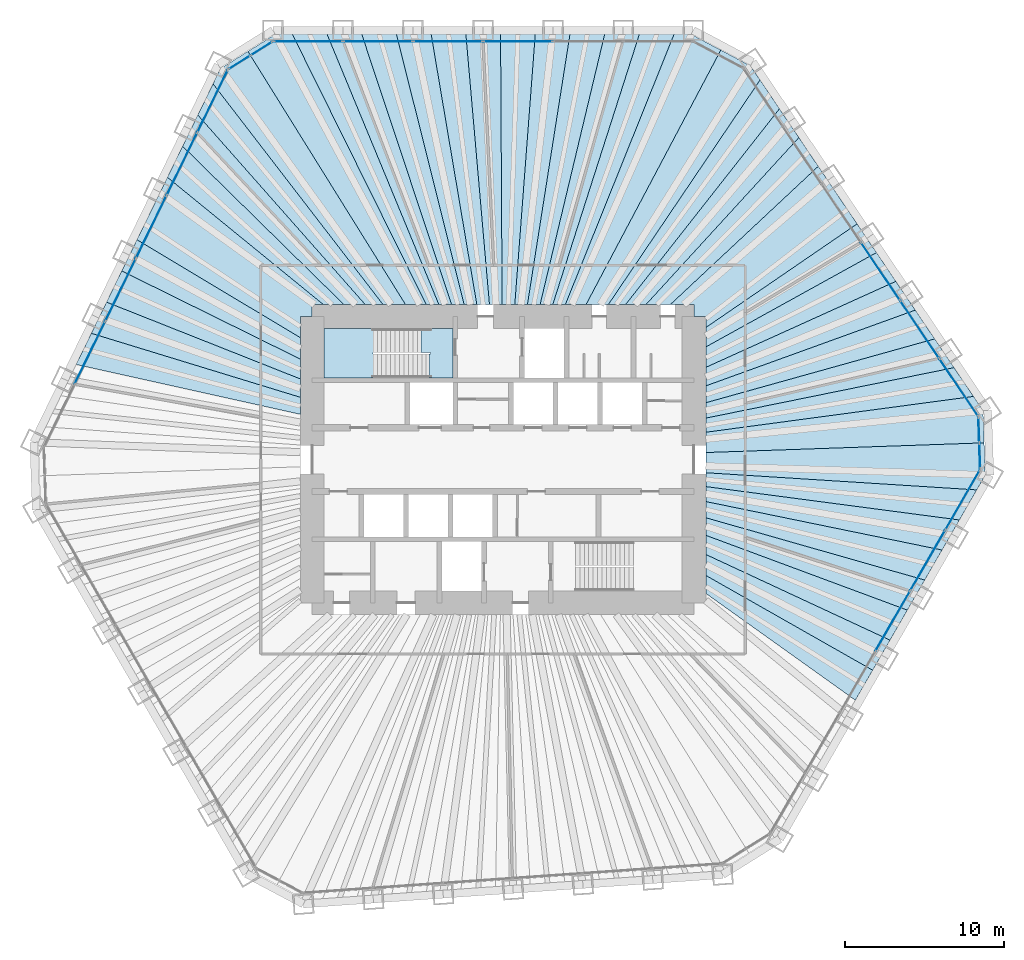
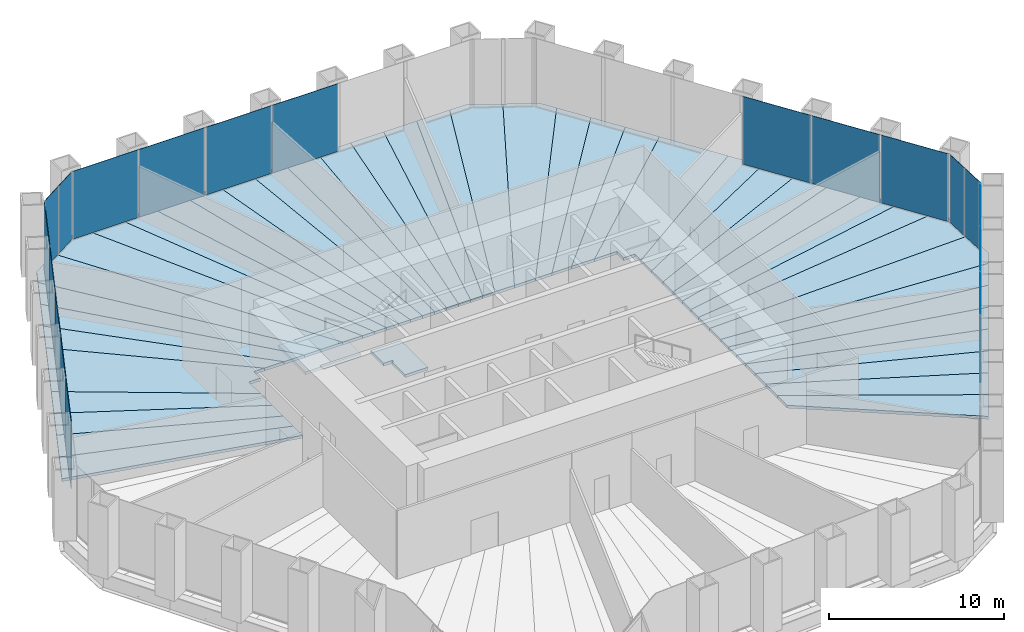
# One storey, part 9 of 13: 44 slabs, 19 plates, 7 elements without a shape of their own.
"""IFC4 building model written with IfcOpenShell, lengths in metres."""

from ifc_helpers import new_model, si_unit, direction, frame, origin, origin_2d, place, context, subcontext, project, spatial, polyline, rectangle, outline, extrude, material, layer, layer_set, type_object, element, aggregate, save


model = new_model("IFC4")

# Units and contexts
model_context = context("Model", 3, precision=1e-05, world=origin(), true_north=direction((0.0, 1.0)))
body_context = subcontext(model_context, "Body", "Model", "MODEL_VIEW")
ifc_project = project(units=[si_unit("LENGTHUNIT", "METRE"), si_unit("AREAUNIT", "SQUARE_METRE"), si_unit("VOLUMEUNIT", "CUBIC_METRE"), si_unit("PLANEANGLEUNIT", "RADIAN"), si_unit("MASSUNIT", "GRAM", prefix="KILO")], contexts=[model_context])

# Site, building, storey
site_placement = place(None, origin())
site = spatial("IfcSite", under=ifc_project, at=site_placement, CompositionType="ELEMENT")
building_placement = place(site_placement, origin())
building = spatial("IfcBuilding", under=site, at=building_placement, Name="Qingtian Harvest Tower", CompositionType="ELEMENT")
storey_placement = place(building_placement, frame((0.0, 0.0, 27.0)))
storey = spatial("IfcBuildingStorey", under=building, at=storey_placement, Name="L05", CompositionType="ELEMENT", Elevation=27.0)

# Slabs
ifc_material_1 = material(Name="Concrete fc' 35 MPa", Category="concrete")
ifc_layer_1 = layer(ifc_material_1, 0.199951171875)
ifc_layer_set_1 = layer_set([ifc_layer_1], Name="Composite floor slab FS20 200")
slab_type_1 = type_object("IfcSlabType", Name="Composite floor slab FS20 200", PredefinedType="FLOOR", material=ifc_layer_set_1)
slab_1_placement = place(storey_placement, frame((0.0, 0.0, -0.199951171875)))
element("IfcSlab", 1, at=slab_1_placement, inside=storey, type_object=slab_type_1, Name="Floor slab L05 panel D32", PredefinedType="FLOOR", context=body_context, shape_type="SweptSolid", body=[
    extrude(outline(polyline([(12.75, -7.279052734375), (23.247802734375, -13.243408203125), (22.159423828125, -15.128662109375), (12.75, -8.4091796875), (12.75, -7.279052734375)])), origin(), (0.0, 0.0, 1.0), 0.199951171875),
])
slab_2_placement = place(storey_placement, frame((0.0, 0.0, -0.199951171875)))
element("IfcSlab", 2, at=slab_2_placement, inside=storey, type_object=slab_type_1, Name="Floor slab L05 panel D33", PredefinedType="FLOOR", context=body_context, shape_type="SweptSolid", body=[
    extrude(outline(polyline([(12.75, -5.96142578125), (24.339111328125, -11.353515625), (23.247802734375, -13.243408203125), (12.75, -7.279052734375), (12.75, -5.96142578125)])), origin(), (0.0, 0.0, 1.0), 0.199951171875),
])
slab_3_placement = place(storey_placement, frame((0.0, 0.0, -0.199951171875)))
element("IfcSlab", 3, at=slab_3_placement, inside=storey, type_object=slab_type_1, Name="Floor slab L05 panel D34", PredefinedType="FLOOR", context=body_context, shape_type="SweptSolid", body=[
    extrude(outline(polyline([(12.75, -4.757080078125), (25.43017578125, -9.46337890625), (24.339111328125, -11.353515625), (12.75, -5.96142578125), (12.75, -4.757080078125)])), origin(), (0.0, 0.0, 1.0), 0.199951171875),
])
slab_4_placement = place(storey_placement, frame((0.0, 0.0, -0.199951171875)))
element("IfcSlab", 4, at=slab_4_placement, inside=storey, type_object=slab_type_1, Name="Floor slab L05 panel D35", PredefinedType="FLOOR", context=body_context, shape_type="SweptSolid", body=[
    extrude(outline(polyline([(12.75, -3.651611328125), (26.521484375, -7.573486328125), (25.43017578125, -9.46337890625), (12.75, -4.757080078125), (12.75, -3.651611328125)])), origin(), (0.0, 0.0, 1.0), 0.199951171875),
])
slab_5_placement = place(storey_placement, frame((0.0, 0.0, -0.199951171875)))
element("IfcSlab", 5, at=slab_5_placement, inside=storey, type_object=slab_type_1, Name="Floor slab L05 panel D36", PredefinedType="FLOOR", context=body_context, shape_type="SweptSolid", body=[
    extrude(outline(polyline([(12.75, -2.634033203125), (27.612548828125, -5.68359375), (26.521484375, -7.573486328125), (12.75, -3.651611328125), (12.75, -2.634033203125)])), origin(), (0.0, 0.0, 1.0), 0.199951171875),
])
slab_6_placement = place(storey_placement, frame((0.0, 0.0, -0.199951171875)))
element("IfcSlab", 6, at=slab_6_placement, inside=storey, type_object=slab_type_1, Name="Floor slab L05 panel D37", PredefinedType="FLOOR", context=body_context, shape_type="SweptSolid", body=[
    extrude(outline(polyline([(12.75, -1.693603515625), (28.703857421875, -3.793701171875), (27.612548828125, -5.68359375), (12.75, -2.634033203125), (12.75, -1.693603515625)])), origin(), (0.0, 0.0, 1.0), 0.199951171875),
])
slab_7_placement = place(storey_placement, frame((0.0, 0.0, -0.199951171875)))
element("IfcSlab", 7, at=slab_7_placement, inside=storey, type_object=slab_type_1, Name="Floor slab L05 panel D38", PredefinedType="FLOOR", context=body_context, shape_type="SweptSolid", body=[
    extrude(outline(polyline([(12.75, -0.822265625), (29.794921875, -1.903564453125), (28.703857421875, -3.793701171875), (12.75, -1.693603515625), (12.75, -0.822265625)])), origin(), (0.0, 0.0, 1.0), 0.199951171875),
])
slab_8_placement = place(storey_placement, frame((0.0, 0.0, -0.199951171875)))
element("IfcSlab", 8, at=slab_8_placement, inside=storey, type_object=slab_type_1, Name="Floor slab L05 panel D39", PredefinedType="FLOOR", context=body_context, shape_type="SweptSolid", body=[
    extrude(outline(polyline([(12.75, -0.822265625), (12.75, 0.447265625), (30.2587890625, 1.056640625), (30.32958984375, -0.9775390625), (29.794921875, -1.903564453125), (12.75, -0.822265625)])), origin(), (0.0, 0.0, 1.0), 0.199951171875),
])
slab_9_placement = place(storey_placement, frame((0.0, 0.0, -0.199951171875)))
element("IfcSlab", 9, at=slab_9_placement, inside=storey, type_object=slab_type_1, Name="Floor slab L05 panel D40", PredefinedType="FLOOR", context=body_context, shape_type="SweptSolid", body=[
    extrude(outline(polyline([(12.75, 0.447265625), (12.75, 1.72265625), (29.589599609375, 3.977294921875), (30.187744140625, 3.0908203125), (30.2587890625, 1.056640625), (12.75, 0.447265625)])), origin(), (0.0, 0.0, 1.0), 0.199951171875),
])
slab_10_placement = place(storey_placement, frame((0.0, 0.0, -0.199951171875)))
element("IfcSlab", 10, at=slab_10_placement, inside=storey, type_object=slab_type_1, Name="Floor slab L05 panel D41", PredefinedType="FLOOR", context=body_context, shape_type="SweptSolid", body=[
    extrude(outline(polyline([(12.75, 2.610595703125), (28.369140625, 5.78662109375), (29.589599609375, 3.977294921875), (12.75, 1.72265625), (12.75, 2.610595703125)])), origin(), (0.0, 0.0, 1.0), 0.199951171875),
])
slab_11_placement = place(storey_placement, frame((0.0, 0.0, -0.199951171875)))
element("IfcSlab", 11, at=slab_11_placement, inside=storey, type_object=slab_type_1, Name="Floor slab L05 panel D42", PredefinedType="FLOOR", context=body_context, shape_type="SweptSolid", body=[
    extrude(outline(polyline([(12.75, 3.57861328125), (27.14892578125, 7.595947265625), (28.369140625, 5.78662109375), (12.75, 2.610595703125), (12.75, 3.57861328125)])), origin(), (0.0, 0.0, 1.0), 0.199951171875),
])
slab_12_placement = place(storey_placement, frame((0.0, 0.0, -0.199951171875)))
element("IfcSlab", 12, at=slab_12_placement, inside=storey, type_object=slab_type_1, Name="Floor slab L05 panel D43", PredefinedType="FLOOR", context=body_context, shape_type="SweptSolid", body=[
    extrude(outline(polyline([(12.75, 4.6376953125), (25.928466796875, 9.405029296875), (27.14892578125, 7.595947265625), (12.75, 3.57861328125), (12.75, 4.6376953125)])), origin(), (0.0, 0.0, 1.0), 0.199951171875),
])
slab_13_placement = place(storey_placement, frame((0.0, 0.0, -0.199951171875)))
element("IfcSlab", 13, at=slab_13_placement, inside=storey, type_object=slab_type_1, Name="Floor slab L05 panel D44", PredefinedType="FLOOR", context=body_context, shape_type="SweptSolid", body=[
    extrude(outline(polyline([(12.75, 5.8017578125), (24.708251953125, 11.21435546875), (25.928466796875, 9.405029296875), (12.75, 4.6376953125), (12.75, 5.8017578125)])), origin(), (0.0, 0.0, 1.0), 0.199951171875),
])
slab_14_placement = place(storey_placement, frame((0.0, 0.0, -0.199951171875)))
element("IfcSlab", 14, at=slab_14_placement, inside=storey, type_object=slab_type_1, Name="Floor slab L05 panel D45", PredefinedType="FLOOR", context=body_context, shape_type="SweptSolid", body=[
    extrude(outline(polyline([(12.75, 7.087158203125), (23.48779296875, 13.023681640625), (24.708251953125, 11.21435546875), (12.75, 5.8017578125), (12.75, 7.087158203125)])), origin(), (0.0, 0.0, 1.0), 0.199951171875),
])
slab_15_placement = place(storey_placement, frame((0.0, 0.0, -0.199951171875)))
element("IfcSlab", 15, at=slab_15_placement, inside=storey, type_object=slab_type_1, Name="Floor slab L05 panel D46", PredefinedType="FLOOR", context=body_context, shape_type="SweptSolid", body=[
    extrude(outline(polyline([(12.75, 8.30615234375), (22.26953125, 14.829833984375), (23.48779296875, 13.023681640625), (12.75, 7.087158203125), (12.75, 8.30615234375)])), origin(), (0.0, 0.0, 1.0), 0.199951171875),
])
slab_16_placement = place(storey_placement, frame((0.0, 0.0, -0.199951171875)))
element("IfcSlab", 16, at=slab_16_placement, inside=storey, type_object=slab_type_1, Name="Floor slab L05 panel D48", PredefinedType="FLOOR", context=body_context, shape_type="SweptSolid", body=[
    extrude(outline(polyline([(19.8271484375, 18.45068359375), (22.26953125, 14.829833984375), (12.75, 8.30615234375), (12.75, 9.0), (12.0, 9.0), (12.0, 9.75), (10.51806640625, 9.75), (19.8271484375, 18.45068359375)])), origin(), (0.0, 0.0, 1.0), 0.199951171875),
])
slab_17_placement = place(storey_placement, frame((0.0, 0.0, -0.199951171875)))
element("IfcSlab", 17, at=slab_17_placement, inside=storey, type_object=slab_type_1, Name="Floor slab L05 panel D49", PredefinedType="FLOOR", context=body_context, shape_type="SweptSolid", body=[
    extrude(outline(polyline([(8.985107421875, 9.75), (18.60693359375, 20.260009765625), (19.8271484375, 18.45068359375), (10.51806640625, 9.75), (8.985107421875, 9.75)])), origin(), (0.0, 0.0, 1.0), 0.199951171875),
])
slab_18_placement = place(storey_placement, frame((0.0, 0.0, -0.199951171875)))
element("IfcSlab", 18, at=slab_18_placement, inside=storey, type_object=slab_type_1, Name="Floor slab L05 panel D50", PredefinedType="FLOOR", context=body_context, shape_type="SweptSolid", body=[
    extrude(outline(polyline([(7.705078125, 9.75), (17.386474609375, 22.0693359375), (18.60693359375, 20.260009765625), (8.985107421875, 9.75), (7.705078125, 9.75)])), origin(), (0.0, 0.0, 1.0), 0.199951171875),
])
slab_19_placement = place(storey_placement, frame((0.0, 0.0, -0.199951171875)))
element("IfcSlab", 19, at=slab_19_placement, inside=storey, type_object=slab_type_1, Name="Floor slab L05 panel D51", PredefinedType="FLOOR", context=body_context, shape_type="SweptSolid", body=[
    extrude(outline(polyline([(6.61962890625, 9.75), (16.166015625, 23.87841796875), (17.386474609375, 22.0693359375), (7.705078125, 9.75), (6.61962890625, 9.75)])), origin(), (0.0, 0.0, 1.0), 0.199951171875),
])
slab_20_placement = place(storey_placement, frame((0.0, 0.0, -0.199951171875)))
element("IfcSlab", 20, at=slab_20_placement, inside=storey, type_object=slab_type_1, Name="Floor slab L05 panel D52", PredefinedType="FLOOR", context=body_context, shape_type="SweptSolid", body=[
    extrude(outline(polyline([(6.61962890625, 9.75), (5.21875, 9.75), (13.697265625, 25.760009765625), (15.56787109375, 24.765380859375), (16.166015625, 23.87841796875), (6.61962890625, 9.75)])), origin(), (0.0, 0.0, 1.0), 0.199951171875),
])
slab_21_placement = place(storey_placement, frame((0.0, 0.0, -0.199951171875)))
element("IfcSlab", 21, at=slab_21_placement, inside=storey, type_object=slab_type_1, Name="Floor slab L05 panel D53", PredefinedType="FLOOR", context=body_context, shape_type="SweptSolid", body=[
    extrude(outline(polyline([(3.919921875, 9.75), (10.756591796875, 26.7548828125), (11.825927734375, 26.7548828125), (13.697265625, 25.760009765625), (5.21875, 9.75), (3.919921875, 9.75)])), origin(), (0.0, 0.0, 1.0), 0.199951171875),
])
slab_22_placement = place(storey_placement, frame((0.0, 0.0, -0.199951171875)))
element("IfcSlab", 22, at=slab_22_placement, inside=storey, type_object=slab_type_1, Name="Floor slab L05 panel D54", PredefinedType="FLOOR", context=body_context, shape_type="SweptSolid", body=[
    extrude(outline(polyline([(3.12451171875, 9.75), (8.57421875, 26.7548828125), (10.756591796875, 26.7548828125), (3.919921875, 9.75), (3.12451171875, 9.75)])), origin(), (0.0, 0.0, 1.0), 0.199951171875),
])
slab_23_placement = place(storey_placement, frame((0.0, 0.0, -0.199951171875)))
element("IfcSlab", 23, at=slab_23_placement, inside=storey, type_object=slab_type_1, Name="Floor slab L05 panel D55", PredefinedType="FLOOR", context=body_context, shape_type="SweptSolid", body=[
    extrude(outline(polyline([(2.329345703125, 9.75), (6.391845703125, 26.7548828125), (8.57421875, 26.7548828125), (3.12451171875, 9.75), (2.329345703125, 9.75)])), origin(), (0.0, 0.0, 1.0), 0.199951171875),
])
slab_24_placement = place(storey_placement, frame((0.0, 0.0, -0.199951171875)))
element("IfcSlab", 24, at=slab_24_placement, inside=storey, type_object=slab_type_1, Name="Floor slab L05 panel D56", PredefinedType="FLOOR", context=body_context, shape_type="SweptSolid", body=[
    extrude(outline(polyline([(1.533935546875, 9.75), (4.20947265625, 26.7548828125), (6.391845703125, 26.7548828125), (2.329345703125, 9.75), (1.533935546875, 9.75)])), origin(), (0.0, 0.0, 1.0), 0.199951171875),
])
slab_25_placement = place(storey_placement, frame((0.0, 0.0, -0.199951171875)))
element("IfcSlab", 25, at=slab_25_placement, inside=storey, type_object=slab_type_1, Name="Floor slab L05 panel D57", PredefinedType="FLOOR", context=body_context, shape_type="SweptSolid", body=[
    extrude(outline(polyline([(0.73876953125, 9.75), (2.02734375, 26.7548828125), (4.20947265625, 26.7548828125), (1.533935546875, 9.75), (0.73876953125, 9.75)])), origin(), (0.0, 0.0, 1.0), 0.199951171875),
])
slab_26_placement = place(storey_placement, frame((0.0, 0.0, -0.199951171875)))
element("IfcSlab", 26, at=slab_26_placement, inside=storey, type_object=slab_type_1, Name="Floor slab L05 panel D58", PredefinedType="FLOOR", context=body_context, shape_type="SweptSolid", body=[
    extrude(outline(polyline([(-0.056396484375, 9.75), (-0.155029296875, 26.7548828125), (2.02734375, 26.7548828125), (0.73876953125, 9.75), (-0.056396484375, 9.75)])), origin(), (0.0, 0.0, 1.0), 0.199951171875),
])
slab_27_placement = place(storey_placement, frame((0.0, 0.0, -0.199951171875)))
element("IfcSlab", 27, at=slab_27_placement, inside=storey, type_object=slab_type_1, Name="Floor slab L05 panel D59", PredefinedType="FLOOR", context=body_context, shape_type="SweptSolid", body=[
    extrude(outline(polyline([(-0.851806640625, 9.75), (-2.33740234375, 26.7548828125), (-0.155029296875, 26.7548828125), (-0.056396484375, 9.75), (-0.851806640625, 9.75)])), origin(), (0.0, 0.0, 1.0), 0.199951171875),
])
slab_28_placement = place(storey_placement, frame((0.0, 0.0, -0.199951171875)))
element("IfcSlab", 28, at=slab_28_placement, inside=storey, type_object=slab_type_1, Name="Floor slab L05 panel D60", PredefinedType="FLOOR", context=body_context, shape_type="SweptSolid", body=[
    extrude(outline(polyline([(-1.64697265625, 9.75), (-4.519775390625, 26.7548828125), (-2.33740234375, 26.7548828125), (-0.851806640625, 9.75), (-1.64697265625, 9.75)])), origin(), (0.0, 0.0, 1.0), 0.199951171875),
])
slab_29_placement = place(storey_placement, frame((0.0, 0.0, -0.199951171875)))
element("IfcSlab", 29, at=slab_29_placement, inside=storey, type_object=slab_type_1, Name="Floor slab L05 panel D61", PredefinedType="FLOOR", context=body_context, shape_type="SweptSolid", body=[
    extrude(outline(polyline([(-2.4423828125, 9.75), (-6.7021484375, 26.7548828125), (-4.519775390625, 26.7548828125), (-1.64697265625, 9.75), (-2.4423828125, 9.75)])), origin(), (0.0, 0.0, 1.0), 0.199951171875),
])
slab_30_placement = place(storey_placement, frame((0.0, 0.0, -0.199951171875)))
element("IfcSlab", 30, at=slab_30_placement, inside=storey, type_object=slab_type_1, Name="Floor slab L05 panel D62", PredefinedType="FLOOR", context=body_context, shape_type="SweptSolid", body=[
    extrude(outline(polyline([(-3.237548828125, 9.75), (-8.88427734375, 26.7548828125), (-6.7021484375, 26.7548828125), (-2.4423828125, 9.75), (-3.237548828125, 9.75)])), origin(), (0.0, 0.0, 1.0), 0.199951171875),
])
slab_31_placement = place(storey_placement, frame((0.0, 0.0, -0.199951171875)))
element("IfcSlab", 31, at=slab_31_placement, inside=storey, type_object=slab_type_1, Name="Floor slab L05 panel D63", PredefinedType="FLOOR", context=body_context, shape_type="SweptSolid", body=[
    extrude(outline(polyline([(-4.032958984375, 9.75), (-11.066650390625, 26.7548828125), (-8.88427734375, 26.7548828125), (-3.237548828125, 9.75), (-4.032958984375, 9.75)])), origin(), (0.0, 0.0, 1.0), 0.199951171875),
])
slab_32_placement = place(storey_placement, frame((0.0, 0.0, -0.199951171875)))
element("IfcSlab", 32, at=slab_32_placement, inside=storey, type_object=slab_type_1, Name="Floor slab L05 panel D64", PredefinedType="FLOOR", context=body_context, shape_type="SweptSolid", body=[
    extrude(outline(polyline([(-4.828125, 9.75), (-13.2490234375, 26.7548828125), (-11.066650390625, 26.7548828125), (-4.032958984375, 9.75), (-4.828125, 9.75)])), origin(), (0.0, 0.0, 1.0), 0.199951171875),
])
slab_33_placement = place(storey_placement, frame((0.0, 0.0, -0.199951171875)))
element("IfcSlab", 33, at=slab_33_placement, inside=storey, type_object=slab_type_1, Name="Floor slab L05 panel D65", PredefinedType="FLOOR", context=body_context, shape_type="SweptSolid", body=[
    extrude(outline(polyline([(-4.828125, 9.75), (-6.130126953125, 9.75), (-16.044921875, 25.67626953125), (-14.318359375, 26.7548828125), (-13.2490234375, 26.7548828125), (-4.828125, 9.75)])), origin(), (0.0, 0.0, 1.0), 0.199951171875),
])
slab_34_placement = place(storey_placement, frame((0.0, 0.0, -0.199951171875)))
element("IfcSlab", 34, at=slab_34_placement, inside=storey, type_object=slab_type_1, Name="Floor slab L05 panel D66", PredefinedType="FLOOR", context=body_context, shape_type="SweptSolid", body=[
    extrude(outline(polyline([(-6.130126953125, 9.75), (-7.544677734375, 9.75), (-18.239501953125, 23.636474609375), (-17.7705078125, 24.597900390625), (-16.044921875, 25.67626953125), (-6.130126953125, 9.75)])), origin(), (0.0, 0.0, 1.0), 0.199951171875),
])
slab_35_placement = place(storey_placement, frame((0.0, 0.0, -0.199951171875)))
element("IfcSlab", 35, at=slab_35_placement, inside=storey, type_object=slab_type_1, Name="Floor slab L05 panel D67", PredefinedType="FLOOR", context=body_context, shape_type="SweptSolid", body=[
    extrude(outline(polyline([(-8.662109375, 9.75), (-19.196044921875, 21.675048828125), (-18.239501953125, 23.636474609375), (-7.544677734375, 9.75), (-8.662109375, 9.75)])), origin(), (0.0, 0.0, 1.0), 0.199951171875),
])
slab_36_placement = place(storey_placement, frame((0.0, 0.0, -0.199951171875)))
element("IfcSlab", 36, at=slab_36_placement, inside=storey, type_object=slab_type_1, Name="Floor slab L05 panel D68", PredefinedType="FLOOR", context=body_context, shape_type="SweptSolid", body=[
    extrude(outline(polyline([(-10.00341796875, 9.75), (-20.15283203125, 19.71337890625), (-19.196044921875, 21.675048828125), (-8.662109375, 9.75), (-10.00341796875, 9.75)])), origin(), (0.0, 0.0, 1.0), 0.199951171875),
])
slab_37_placement = place(storey_placement, frame((0.0, 0.0, -0.199951171875)))
element("IfcSlab", 37, at=slab_37_placement, inside=storey, type_object=slab_type_1, Name="Floor slab L05 panel D69", PredefinedType="FLOOR", context=body_context, shape_type="SweptSolid", body=[
    extrude(outline(polyline([(-11.2939453125, 9.75), (-21.107666015625, 17.755859375), (-20.15283203125, 19.71337890625), (-10.00341796875, 9.75), (-11.2939453125, 9.75)])), origin(), (0.0, 0.0, 1.0), 0.199951171875),
])
slab_38_placement = place(storey_placement, frame((0.0, 0.0, -0.199951171875)))
element("IfcSlab", 38, at=slab_38_placement, inside=storey, type_object=slab_type_1, Name="Floor slab L05 panel D70", PredefinedType="FLOOR", context=body_context, shape_type="SweptSolid", body=[
    extrude(outline(polyline([(-12.0, 9.0), (-12.75, 9.0), (-12.75, 7.67333984375), (-23.0224609375, 13.82958984375), (-21.107666015625, 17.755859375), (-11.2939453125, 9.75), (-12.0, 9.75), (-12.0, 9.0)])), origin(), (0.0, 0.0, 1.0), 0.199951171875),
])
slab_39_placement = place(storey_placement, frame((0.0, 0.0, -0.199951171875)))
element("IfcSlab", 39, at=slab_39_placement, inside=storey, type_object=slab_type_1, Name="Floor slab L05 panel D72", PredefinedType="FLOOR", context=body_context, shape_type="SweptSolid", body=[
    extrude(outline(polyline([(-12.75, 6.3232421875), (-23.979248046875, 11.8681640625), (-23.0224609375, 13.82958984375), (-12.75, 7.67333984375), (-12.75, 6.3232421875)])), origin(), (0.0, 0.0, 1.0), 0.199951171875),
])
slab_40_placement = place(storey_placement, frame((0.0, 0.0, -0.199951171875)))
element("IfcSlab", 40, at=slab_40_placement, inside=storey, type_object=slab_type_1, Name="Floor slab L05 panel D73", PredefinedType="FLOOR", context=body_context, shape_type="SweptSolid", body=[
    extrude(outline(polyline([(-12.75, 5.076904296875), (-24.935791015625, 9.90673828125), (-23.979248046875, 11.8681640625), (-12.75, 6.3232421875), (-12.75, 5.076904296875)])), origin(), (0.0, 0.0, 1.0), 0.199951171875),
])
slab_41_placement = place(storey_placement, frame((0.0, 0.0, -0.199951171875)))
element("IfcSlab", 41, at=slab_41_placement, inside=storey, type_object=slab_type_1, Name="Floor slab L05 panel D74", PredefinedType="FLOOR", context=body_context, shape_type="SweptSolid", body=[
    extrude(outline(polyline([(-12.75, 3.922607421875), (-25.892578125, 7.9453125), (-24.935791015625, 9.90673828125), (-12.75, 5.076904296875), (-12.75, 3.922607421875)])), origin(), (0.0, 0.0, 1.0), 0.199951171875),
])
slab_42_placement = place(storey_placement, frame((0.0, 0.0, -0.199951171875)))
element("IfcSlab", 42, at=slab_42_placement, inside=storey, type_object=slab_type_1, Name="Floor slab L05 panel D75", PredefinedType="FLOOR", context=body_context, shape_type="SweptSolid", body=[
    extrude(outline(polyline([(-12.75, 2.8505859375), (-26.84912109375, 5.98388671875), (-25.892578125, 7.9453125), (-12.75, 3.922607421875), (-12.75, 2.8505859375)])), origin(), (0.0, 0.0, 1.0), 0.199951171875),
])

# Curtain wall, plates
ifc_material_2 = material(Name="Bronze-anodised aluminium curtain wall", Category="aluminium")
curtain_wall_type = type_object("IfcCurtainWallType", Name="Curtain wall CW2 farm reception", PredefinedType="USERDEFINED", material=ifc_material_2)
curtain_wall_1_placement = place(storey_placement, origin())
curtain_wall_1 = element("IfcCurtainWall", 43, at=curtain_wall_1_placement, inside=storey, type_object=curtain_wall_type, Name="Curtain wall CW2 L05 N0-5", ObjectType="RECESSED CURTAIN WALL", PredefinedType="USERDEFINED")
ifc_material_3 = material(Name="Bronze-tinted laminated insulating glass", Category="glass")
ifc_layer_2 = layer(ifc_material_3, 0.030029296875)
ifc_layer_set_2 = layer_set([ifc_layer_2], Name="Glazed panel CWP tinted IGU")
plate_type = type_object("IfcPlateType", Name="Glazed panel CWP tinted IGU", PredefinedType="CURTAIN_PANEL", material=ifc_layer_set_2)
plate_1_placement = place(storey_placement, frame((-12.2529296875, 26.300048828125, 0.06494140625), z_axis=(0.0, 0.0, 1.0), x_axis=(1.0, 0.0, 0.0)))
plate_1 = element("IfcPlate", 44, at=plate_1_placement, type_object=plate_type, Name="CW2 panel 1.1", PredefinedType="CURTAIN_PANEL", context=body_context, shape_type="SweptSolid", body=[
    extrude(rectangle(XDim=4.30712890625, YDim=0.030029296875, at=origin_2d()), origin(), (0.0, 0.0, 1.0), 4.735107421875),
])
plate_2_placement = place(storey_placement, frame((-7.864501953125, 26.300048828125, 0.06494140625), z_axis=(0.0, 0.0, 1.0), x_axis=(1.0, 0.0, 0.0)))
plate_2 = element("IfcPlate", 45, at=plate_2_placement, type_object=plate_type, Name="CW2 panel 2.1", PredefinedType="CURTAIN_PANEL", context=body_context, shape_type="SweptSolid", body=[
    extrude(rectangle(XDim=4.339599609375, YDim=0.030029296875, at=origin_2d()), origin(), (0.0, 0.0, 1.0), 4.735107421875),
])
plate_3_placement = place(storey_placement, frame((-3.4599609375, 26.300048828125, 0.06494140625), z_axis=(0.0, 0.0, 1.0), x_axis=(1.0, 0.0, 0.0)))
plate_3 = element("IfcPlate", 46, at=plate_3_placement, type_object=plate_type, Name="CW2 panel 3.1", PredefinedType="CURTAIN_PANEL", context=body_context, shape_type="SweptSolid", body=[
    extrude(rectangle(XDim=4.339599609375, YDim=0.030029296875, at=origin_2d()), origin(), (0.0, 0.0, 1.0), 4.735107421875),
])
plate_4_placement = place(storey_placement, frame((0.944580078125, 26.300048828125, 0.06494140625), z_axis=(0.0, 0.0, 1.0), x_axis=(1.0, 0.0, 0.0)))
plate_4 = element("IfcPlate", 47, at=plate_4_placement, type_object=plate_type, Name="CW2 panel 4.1", PredefinedType="CURTAIN_PANEL", context=body_context, shape_type="SweptSolid", body=[
    extrude(rectangle(XDim=4.339599609375, YDim=0.030029296875, at=origin_2d()), origin(), (0.0, 0.0, 1.0), 4.735107421875),
])
aggregate(curtain_wall_1, [plate_1, plate_2, plate_3, plate_4])

curtain_wall_2_placement = place(storey_placement, origin())
curtain_wall_2 = element("IfcCurtainWall", 48, at=curtain_wall_2_placement, inside=storey, type_object=curtain_wall_type, Name="Curtain wall CW2 L05 NE0-5", ObjectType="RECESSED CURTAIN WALL", PredefinedType="USERDEFINED")
plate_5_placement = place(storey_placement, frame((23.738525390625, 11.83837890625, 0.06494140625), z_axis=(0.0, 0.0, 1.0), x_axis=(0.559192903471, -0.829037572555, 0.0)))
plate_5 = element("IfcPlate", 49, at=plate_5_placement, type_object=plate_type, Name="CW2 panel 4.1", PredefinedType="CURTAIN_PANEL", context=body_context, shape_type="SweptSolid", body=[
    extrude(rectangle(XDim=4.339599609375, YDim=0.030029296875, at=origin_2d()), origin(), (0.0, 0.0, 1.0), 4.735107421875),
])
plate_6_placement = place(storey_placement, frame((26.201416015625, 8.186767578125, 0.06494140625), z_axis=(0.0, 0.0, 1.0), x_axis=(0.559192903471, -0.829037572555, 0.0)))
plate_6 = element("IfcPlate", 50, at=plate_6_placement, type_object=plate_type, Name="CW2 panel 5.1", PredefinedType="CURTAIN_PANEL", context=body_context, shape_type="SweptSolid", body=[
    extrude(rectangle(XDim=4.339599609375, YDim=0.030029296875, at=origin_2d()), origin(), (0.0, 0.0, 1.0), 4.735107421875),
])
plate_7_placement = place(storey_placement, frame((28.655517578125, 4.548583984375, 0.06494140625), z_axis=(0.0, 0.0, 1.0), x_axis=(0.559192903471, -0.829037572555, 0.0)))
plate_7 = element("IfcPlate", 51, at=plate_7_placement, type_object=plate_type, Name="CW2 panel 6.1", PredefinedType="CURTAIN_PANEL", context=body_context, shape_type="SweptSolid", body=[
    extrude(rectangle(XDim=4.30712890625, YDim=0.030029296875, at=origin_2d()), origin(), (0.0, 0.0, 1.0), 4.735107421875),
])
aggregate(curtain_wall_2, [plate_5, plate_6, plate_7])

curtain_wall_3_placement = place(storey_placement, origin())
curtain_wall_3 = element("IfcCurtainWall", 52, at=curtain_wall_3_placement, inside=storey, type_object=curtain_wall_type, Name="Curtain wall CW2 L05 NEC", ObjectType="RECESSED CURTAIN WALL", PredefinedType="USERDEFINED")
plate_8_placement = place(storey_placement, frame((29.925537109375, 1.861572265625, 0.06494140625), z_axis=(0.0, 0.0, 1.0), x_axis=(0.034899496703, -0.999390827019, 0.0)))
plate_8 = element("IfcPlate", 53, at=plate_8_placement, type_object=plate_type, Name="CW2 panel 1.1", PredefinedType="CURTAIN_PANEL", context=body_context, shape_type="SweptSolid", body=[
    extrude(rectangle(XDim=1.56689453125, YDim=0.030029296875, at=origin_2d()), origin(), (0.0, 0.0, 1.0), 4.735107421875),
])
plate_9_placement = place(storey_placement, frame((29.982666015625, 0.23046875, 0.06494140625), z_axis=(0.0, 0.0, 1.0), x_axis=(0.034899496703, -0.999390827019, 0.0)))
plate_9 = element("IfcPlate", 54, at=plate_9_placement, type_object=plate_type, Name="CW2 panel 2.1", PredefinedType="CURTAIN_PANEL", context=body_context, shape_type="SweptSolid", body=[
    extrude(rectangle(XDim=1.56689453125, YDim=0.030029296875, at=origin_2d()), origin(), (0.0, 0.0, 1.0), 4.735107421875),
])
aggregate(curtain_wall_3, [plate_8, plate_9])

curtain_wall_4_placement = place(storey_placement, origin())
curtain_wall_4 = element("IfcCurtainWall", 55, at=curtain_wall_4_placement, inside=storey, type_object=curtain_wall_type, Name="Curtain wall CW2 L05 SE0-5", ObjectType="RECESSED CURTAIN WALL", PredefinedType="USERDEFINED")
plate_10_placement = place(storey_placement, frame((28.90283203125, -2.53857421875, 0.06494140625), z_axis=(0.0, 0.0, 1.0), x_axis=(-0.5, -0.866025403784, 0.0)))
plate_10 = element("IfcPlate", 56, at=plate_10_placement, type_object=plate_type, Name="CW2 panel 1.1", PredefinedType="CURTAIN_PANEL", context=body_context, shape_type="SweptSolid", body=[
    extrude(rectangle(XDim=4.30712890625, YDim=0.030029296875, at=origin_2d()), origin(), (0.0, 0.0, 1.0), 4.735107421875),
])
plate_11_placement = place(storey_placement, frame((26.708740234375, -6.339111328125, 0.06494140625), z_axis=(0.0, 0.0, 1.0), x_axis=(-0.5, -0.866025403784, 0.0)))
plate_11 = element("IfcPlate", 57, at=plate_11_placement, type_object=plate_type, Name="CW2 panel 2.1", PredefinedType="CURTAIN_PANEL", context=body_context, shape_type="SweptSolid", body=[
    extrude(rectangle(XDim=4.339599609375, YDim=0.030029296875, at=origin_2d()), origin(), (0.0, 0.0, 1.0), 4.735107421875),
])
plate_12_placement = place(storey_placement, frame((24.50634765625, -10.153564453125, 0.06494140625), z_axis=(0.0, 0.0, 1.0), x_axis=(-0.5, -0.866025403784, 0.0)))
plate_12 = element("IfcPlate", 58, at=plate_12_placement, type_object=plate_type, Name="CW2 panel 3.1", PredefinedType="CURTAIN_PANEL", context=body_context, shape_type="SweptSolid", body=[
    extrude(rectangle(XDim=4.339599609375, YDim=0.030029296875, at=origin_2d()), origin(), (0.0, 0.0, 1.0), 4.735107421875),
])
aggregate(curtain_wall_4, [plate_10, plate_11, plate_12])

curtain_wall_5_placement = place(storey_placement, origin())
curtain_wall_5 = element("IfcCurtainWall", 59, at=curtain_wall_5_placement, inside=storey, type_object=curtain_wall_type, Name="Curtain wall CW2 L05 NW0-5", ObjectType="RECESSED CURTAIN WALL", PredefinedType="USERDEFINED")
plate_13_placement = place(storey_placement, frame((-25.983154296875, 6.72119140625, 0.06494140625), z_axis=(0.0, 0.0, 1.0), x_axis=(0.438371146789, 0.898794046299, 0.0)))
plate_13 = element("IfcPlate", 60, at=plate_13_placement, type_object=plate_type, Name="CW2 panel 2.1", PredefinedType="CURTAIN_PANEL", context=body_context, shape_type="SweptSolid", body=[
    extrude(rectangle(XDim=4.339599609375, YDim=0.030029296875, at=origin_2d()), origin(), (0.0, 0.0, 1.0), 4.735107421875),
])
plate_14_placement = place(storey_placement, frame((-24.052490234375, 10.68017578125, 0.06494140625), z_axis=(0.0, 0.0, 1.0), x_axis=(0.438371146789, 0.898794046299, 0.0)))
plate_14 = element("IfcPlate", 61, at=plate_14_placement, type_object=plate_type, Name="CW2 panel 3.1", PredefinedType="CURTAIN_PANEL", context=body_context, shape_type="SweptSolid", body=[
    extrude(rectangle(XDim=4.339599609375, YDim=0.030029296875, at=origin_2d()), origin(), (0.0, 0.0, 1.0), 4.735107421875),
])
plate_15_placement = place(storey_placement, frame((-22.12158203125, 14.638916015625, 0.06494140625), z_axis=(0.0, 0.0, 1.0), x_axis=(0.438371146789, 0.898794046299, 0.0)))
plate_15 = element("IfcPlate", 62, at=plate_15_placement, type_object=plate_type, Name="CW2 panel 4.1", PredefinedType="CURTAIN_PANEL", context=body_context, shape_type="SweptSolid", body=[
    extrude(rectangle(XDim=4.339599609375, YDim=0.030029296875, at=origin_2d()), origin(), (0.0, 0.0, 1.0), 4.735107421875),
])
plate_16_placement = place(storey_placement, frame((-20.190673828125, 18.597900390625, 0.06494140625), z_axis=(0.0, 0.0, 1.0), x_axis=(0.438371146789, 0.898794046299, 0.0)))
plate_16 = element("IfcPlate", 63, at=plate_16_placement, type_object=plate_type, Name="CW2 panel 5.1", PredefinedType="CURTAIN_PANEL", context=body_context, shape_type="SweptSolid", body=[
    extrude(rectangle(XDim=4.339599609375, YDim=0.030029296875, at=origin_2d()), origin(), (0.0, 0.0, 1.0), 4.735107421875),
])
plate_17_placement = place(storey_placement, frame((-18.266845703125, 22.5419921875, 0.06494140625), z_axis=(0.0, 0.0, 1.0), x_axis=(0.438371146789, 0.898794046299, 0.0)))
plate_17 = element("IfcPlate", 64, at=plate_17_placement, type_object=plate_type, Name="CW2 panel 6.1", PredefinedType="CURTAIN_PANEL", context=body_context, shape_type="SweptSolid", body=[
    extrude(rectangle(XDim=4.30712890625, YDim=0.030029296875, at=origin_2d()), origin(), (0.0, 0.0, 1.0), 4.735107421875),
])
aggregate(curtain_wall_5, [plate_13, plate_14, plate_15, plate_16, plate_17])

curtain_wall_6_placement = place(storey_placement, origin())
curtain_wall_6 = element("IfcCurtainWall", 65, at=curtain_wall_6_placement, inside=storey, type_object=curtain_wall_type, Name="Curtain wall CW2 L05 NWC", ObjectType="RECESSED CURTAIN WALL", PredefinedType="USERDEFINED")
plate_18_placement = place(storey_placement, frame((-16.574951171875, 24.985595703125, 0.06494140625), z_axis=(0.0, 0.0, 1.0), x_axis=(0.848048096156, 0.529919264233, 0.0)))
plate_18 = element("IfcPlate", 66, at=plate_18_placement, type_object=plate_type, Name="CW2 panel 1.1", PredefinedType="CURTAIN_PANEL", context=body_context, shape_type="SweptSolid", body=[
    extrude(rectangle(XDim=1.56689453125, YDim=0.030029296875, at=origin_2d()), origin(), (0.0, 0.0, 1.0), 4.735107421875),
])
plate_19_placement = place(storey_placement, frame((-15.19091796875, 25.850341796875, 0.06494140625), z_axis=(0.0, 0.0, 1.0), x_axis=(0.848048096156, 0.529919264233, 0.0)))
plate_19 = element("IfcPlate", 67, at=plate_19_placement, type_object=plate_type, Name="CW2 panel 2.1", PredefinedType="CURTAIN_PANEL", context=body_context, shape_type="SweptSolid", body=[
    extrude(rectangle(XDim=1.56689453125, YDim=0.030029296875, at=origin_2d()), origin(), (0.0, 0.0, 1.0), 4.735107421875),
])
aggregate(curtain_wall_6, [plate_18, plate_19])

# Stair, slabs
ifc_material_4 = material(Name="Concrete fc' 35 MPa", Category="concrete")
stair_type = type_object("IfcStairType", Name="Special stair ST2 5000", PredefinedType="HALF_TURN_STAIR", material=ifc_material_4)
stair_placement = place(storey_placement, origin())
stair = element("IfcStair", 68, at=stair_placement, inside=storey, type_object=stair_type, Name="Special stair S1 L05", PredefinedType="HALF_TURN_STAIR")
ifc_material_5 = material(Name="Concrete fc' 35 MPa", Category="concrete")
ifc_layer_3 = layer(ifc_material_5, 0.199951171875)
ifc_layer_set_3 = layer_set([ifc_layer_3], Name="Stair landing SL2 200")
slab_type_2 = type_object("IfcSlabType", Name="Stair landing SL2 200", PredefinedType="LANDING", material=ifc_layer_set_3)
slab_43_placement = place(storey_placement, frame((0.0, 0.0, -0.199951171875)))
slab_43 = element("IfcSlab", 69, at=slab_43_placement, type_object=slab_type_2, Name="S1 landing 1", PredefinedType="LANDING", context=body_context, shape_type="SweptSolid", body=[
    extrude(outline(polyline([(-4.64990234375, 5.14990234375), (-4.64990234375, 6.64990234375), (-4.550048828125, 6.64990234375), (-4.550048828125, 6.75), (-5.155029296875, 6.75), (-5.155029296875, 8.25), (-3.14990234375, 8.25), (-3.14990234375, 5.14990234375), (-4.64990234375, 5.14990234375)])), origin(), (0.0, 0.0, 1.0), 0.199951171875),
])
slab_44_placement = place(storey_placement, frame((0.0, 0.0, 2.300048828125)))
slab_44 = element("IfcSlab", 70, at=slab_44_placement, type_object=slab_type_2, Name="S1 landing 2", PredefinedType="LANDING", context=body_context, shape_type="SweptSolid", body=[
    extrude(outline(polyline([(-7.5849609375, 5.14990234375), (-11.25, 5.14990234375), (-11.25, 8.25), (-8.090087890625, 8.25), (-8.090087890625, 6.75), (-8.18994140625, 6.75), (-8.18994140625, 6.64990234375), (-7.5849609375, 6.64990234375), (-7.5849609375, 5.14990234375)])), origin(), (0.0, 0.0, 1.0), 0.199951171875),
])
aggregate(stair, [slab_43, slab_44])

save(model, "model.ifc")
